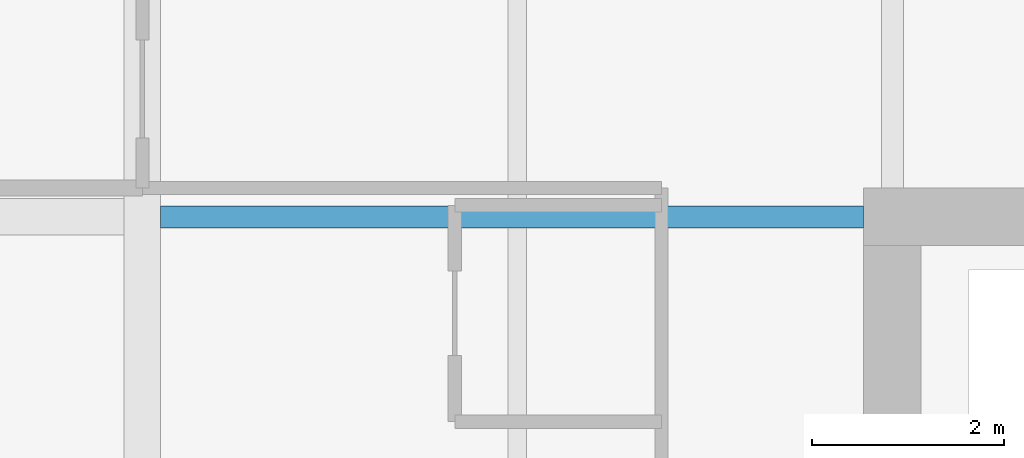
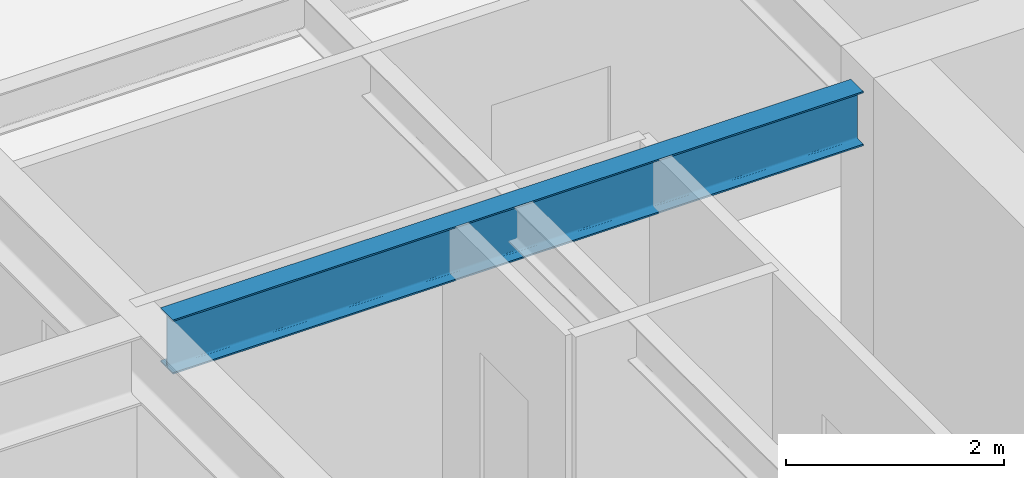
# One storey, part 18 of 37: 1 beam.
"""IFC4 building model written with IfcOpenShell, lengths in metres."""

from ifc_helpers import new_model, si_unit, direction, frame, origin, origin_2d, place, context, subcontext, project, spatial, i_section, extrude, material, material_profile, profile_set, type_object, element, save


model = new_model("IFC4")

# Units and contexts
model_context = context("Model", 3, precision=1e-05, world=origin(), true_north=direction((0.0, 1.0)))
body_context = subcontext(model_context, "Body", "Model", "MODEL_VIEW")
ifc_project = project(units=[si_unit("LENGTHUNIT", "METRE"), si_unit("AREAUNIT", "SQUARE_METRE"), si_unit("VOLUMEUNIT", "CUBIC_METRE"), si_unit("PLANEANGLEUNIT", "RADIAN"), si_unit("MASSUNIT", "GRAM", prefix="KILO")], contexts=[model_context])

# Site, building, storey
site_placement = place(None, origin())
site = spatial("IfcSite", under=ifc_project, at=site_placement, CompositionType="ELEMENT")
building_placement = place(site_placement, origin())
building = spatial("IfcBuilding", under=site, at=building_placement, Name="Drelvath Grand Hotel", CompositionType="ELEMENT")
storey_placement = place(building_placement, frame((0.0, 0.0, 75.199951171875)))
storey = spatial("IfcBuildingStorey", under=building, at=storey_placement, Name="L18", CompositionType="ELEMENT", Elevation=75.199951171875)

# Beam
ifc_material = material(Name="Steel ASTM A992 Gr 50", Category="steel")
ifc_material_profile = material_profile(ifc_material, i_section(OverallWidth=0.228271484375, OverallDepth=0.607666015625, WebThickness=0.01123046875, FlangeThickness=0.017333984375, FilletRadius=0.02001953125, at=origin_2d()), Name="W24X76")
ifc_profile_set = profile_set([ifc_material_profile], Name="Steel ASTM A992 Gr 50")
beam_type = type_object("IfcBeamType", Name="Primary Floor Girder W24X76", PredefinedType="BEAM", material=ifc_profile_set)
beam_placement = place(storey_placement, frame((-16.009765625, 35.39990234375, 2.936279296875), z_axis=(1.0, 0.0, 0.0), x_axis=(0.0, 1.0, 0.0)))
element("IfcBeam", 1, at=beam_placement, inside=storey, type_object=beam_type, Name="L18 West Core Tie F", PredefinedType="BEAM", context=body_context, shape_type="SweptSolid", body=[
    extrude(i_section(OverallWidth=0.228271484375, OverallDepth=0.607666015625, WebThickness=0.01123046875, FlangeThickness=0.017333984375, FilletRadius=0.02001953125, at=origin_2d()), origin(), (0.0, 0.0, 1.0), 7.309814453125),
])

save(model, "model.ifc")
